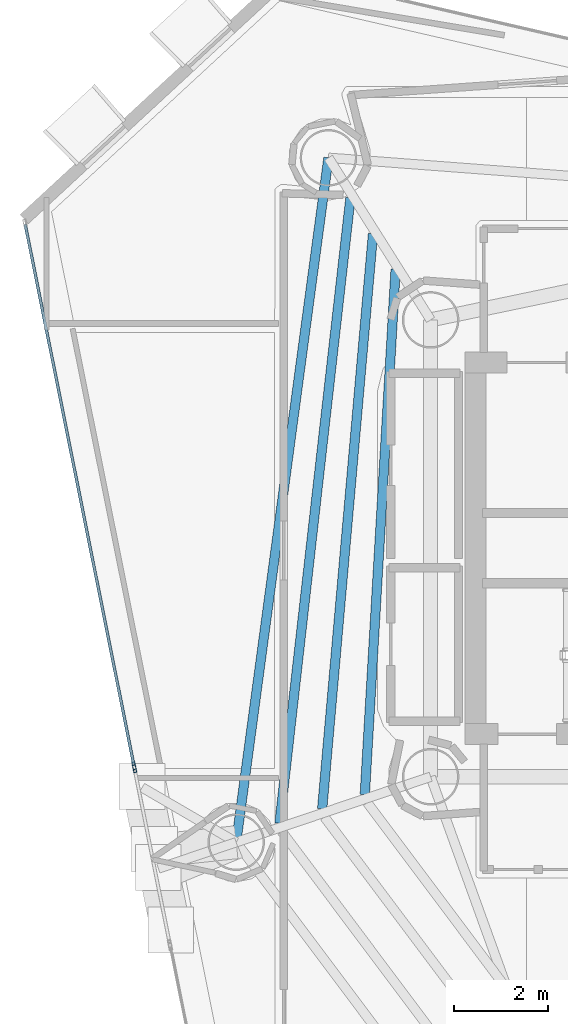
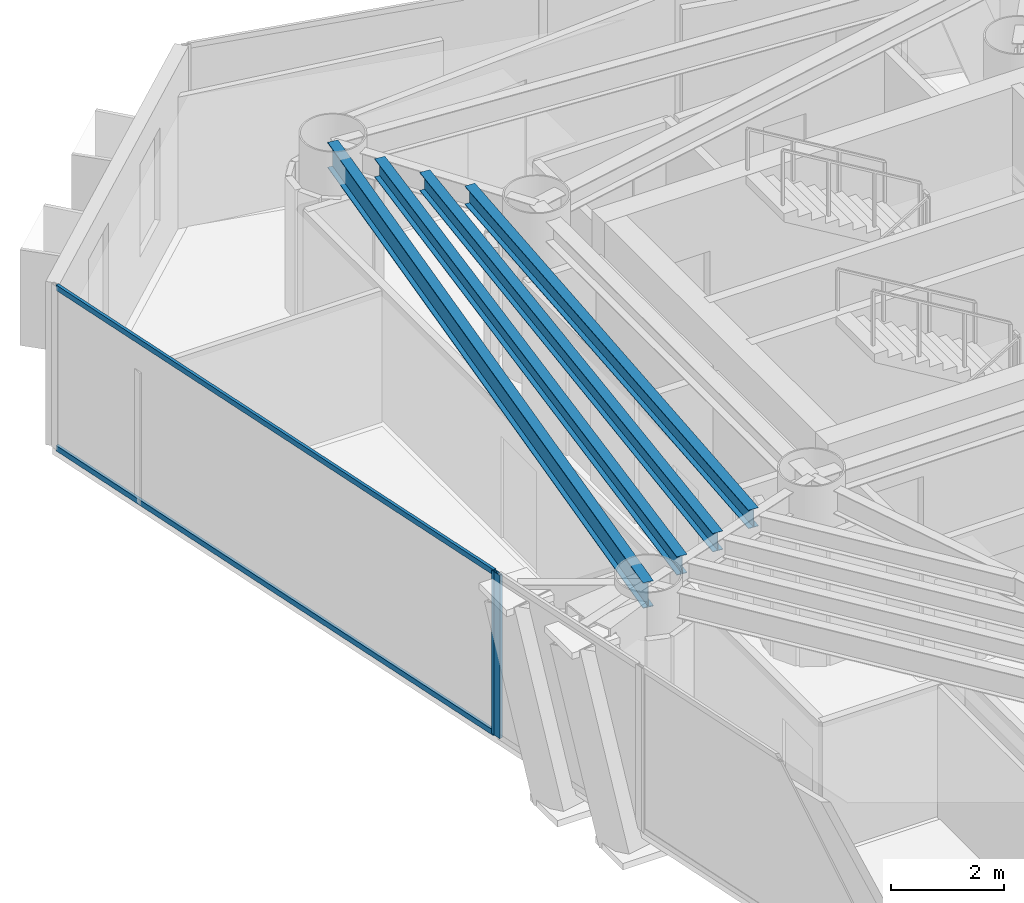
# One storey, part 8 of 22: 4 beams, 4 members, 2 elements without a shape of their own.
"""IFC4 building model written with IfcOpenShell, lengths in metres."""

from ifc_helpers import new_model, si_unit, direction, frame, origin, origin_2d, place, context, subcontext, project, spatial, hollow_rectangle, i_section, extrude, material, layer, layer_set, material_profile, profile_set, type_object, element, aggregate, save


model = new_model("IFC4")

# Units and contexts
model_context = context("Model", 3, precision=1e-05, world=origin(), true_north=direction((0.0, 1.0)))
body_context = subcontext(model_context, "Body", "Model", "MODEL_VIEW")
ifc_project = project(units=[si_unit("LENGTHUNIT", "METRE"), si_unit("AREAUNIT", "SQUARE_METRE"), si_unit("VOLUMEUNIT", "CUBIC_METRE"), si_unit("PLANEANGLEUNIT", "RADIAN"), si_unit("MASSUNIT", "GRAM", prefix="KILO")], contexts=[model_context])

# Site, building, storey
site_placement = place(None, origin())
site = spatial("IfcSite", under=ifc_project, at=site_placement, CompositionType="ELEMENT")
building_placement = place(site_placement, origin())
building = spatial("IfcBuilding", under=site, at=building_placement, Name="Qianvela Tower", CompositionType="ELEMENT")
storey_placement = place(building_placement, frame((0.0, 0.0, 204.0)))
storey = spatial("IfcBuildingStorey", under=building, at=storey_placement, Name="L52", CompositionType="ELEMENT", Elevation=204.0)

# Beams
ifc_material_1 = material(Name="Steel Q355B", Category="steel")
ifc_material_profile_1 = material_profile(ifc_material_1, i_section(OverallWidth=0.199951171875, OverallDepth=0.39990234375, WebThickness=0.008056640625, FlangeThickness=0.012939453125, at=origin_2d()), Name="HN400x200x8x13")
ifc_profile_set_1 = profile_set([ifc_material_profile_1], Name="Steel Q355B")
beam_type_1 = type_object("IfcBeamType", Name="BM-HN400-JOIST", PredefinedType="JOIST", material=ifc_profile_set_1)
beam_1_placement = place(storey_placement, frame((27.85693359375, 34.62451171875, 3.318115234375), z_axis=(-0.05861696358, -0.998280547532, 0.0), x_axis=(0.998280547532, -0.05861696358, 0.0)))
element("IfcBeam", 1, at=beam_1_placement, inside=storey, type_object=beam_type_1, Name="L52 Secondary Composite Floor Joist 3.1", PredefinedType="JOIST", context=body_context, shape_type="SweptSolid", body=[
    extrude(i_section(OverallWidth=0.199951171875, OverallDepth=0.39990234375, WebThickness=0.008056640625, FlangeThickness=0.012939453125, at=origin_2d()), origin(), (0.0, 0.0, 1.0), 11.170654296875),
])
beam_2_placement = place(storey_placement, frame((27.376953125, 35.3818359375, 3.318115234375), z_axis=(-0.088081491788, -0.996113272075, 0.0), x_axis=(0.996113272075, -0.088081491788, 0.0)))
element("IfcBeam", 2, at=beam_2_placement, inside=storey, type_object=beam_type_1, Name="L52 Secondary Composite Floor Joist 3.2", PredefinedType="JOIST", context=body_context, shape_type="SweptSolid", body=[
    extrude(i_section(OverallWidth=0.199951171875, OverallDepth=0.39990234375, WebThickness=0.008056640625, FlangeThickness=0.012939453125, at=origin_2d()), origin(), (0.0, 0.0, 1.0), 12.26220703125),
])
beam_3_placement = place(storey_placement, frame((26.8974609375, 36.139404296875, 3.318115234375), z_axis=(-0.112721124494, -0.993626664343, 0.0), x_axis=(0.993626664343, -0.112721124494, 0.0)))
element("IfcBeam", 3, at=beam_3_placement, inside=storey, type_object=beam_type_1, Name="L52 Secondary Composite Floor Joist 3.3", PredefinedType="JOIST", context=body_context, shape_type="SweptSolid", body=[
    extrude(i_section(OverallWidth=0.199951171875, OverallDepth=0.39990234375, WebThickness=0.008056640625, FlangeThickness=0.012939453125, at=origin_2d()), origin(), (0.0, 0.0, 1.0), 13.363525390625),
])
ifc_material_2 = material(Name="Steel Q355B", Category="steel")
ifc_material_profile_2 = material_profile(ifc_material_2, i_section(OverallWidth=0.199951171875, OverallDepth=0.550048828125, WebThickness=0.010009765625, FlangeThickness=0.01611328125, at=origin_2d()), Name="HN550x200x10x16")
ifc_profile_set_2 = profile_set([ifc_material_profile_2], Name="Steel Q355B")
beam_type_2 = type_object("IfcBeamType", Name="BM-HN550-GIRD", PredefinedType="BEAM", material=ifc_profile_set_2)
beam_4_placement = place(storey_placement, frame((26.430908203125, 36.991943359375, 3.242919921875), z_axis=(-0.133596613255, -0.991035793968, 0.0), x_axis=(0.991035793968, -0.133596613255, 0.0)))
element("IfcBeam", 4, at=beam_4_placement, inside=storey, type_object=beam_type_2, Name="L52 Perimeter Ring Spandrel Girder 3", PredefinedType="BEAM", context=body_context, shape_type="SweptSolid", body=[
    extrude(i_section(OverallWidth=0.199951171875, OverallDepth=0.550048828125, WebThickness=0.010009765625, FlangeThickness=0.01611328125, at=origin_2d()), origin(), (0.0, 0.0, 1.0), 14.663330078125),
])

# Curtain wall, member
ifc_material_3 = material(Name="Anodised Architectural Aluminium and Insulated Spandrel Panel", Category="aluminium")
ifc_layer_1 = layer(ifc_material_3, 0.179931640625)
ifc_layer_set_1 = layer_set([ifc_layer_1], Name="Anodised Architectural Aluminium and Insulated Spandrel Panel")
curtain_wall_type_1 = type_object("IfcCurtainWallType", Name="CW-BRACEBAY", PredefinedType="USERDEFINED", material=ifc_layer_set_1)
curtain_wall_1_placement = place(storey_placement, origin())
curtain_wall_1 = element("IfcCurtainWall", 5, at=curtain_wall_1_placement, inside=storey, type_object=curtain_wall_type_1, Name="L52 CW-BRACEBAY Curtain Wall 04B", ObjectType="CURTAIN_WALL_SYSTEM", PredefinedType="USERDEFINED")
ifc_material_4 = material(Name="Anodised Architectural Aluminium 6063-T6", Category="aluminium")
ifc_material_profile_3 = material_profile(ifc_material_4, hollow_rectangle(XDim=0.06494140625, YDim=0.159912109375, WallThickness=0.0048828125, at=origin_2d()), Name="ALU-MULL-65x160")
ifc_profile_set_3 = profile_set([ifc_material_profile_3], Name="Anodised Architectural Aluminium 6063-T6")
member_type_1 = type_object("IfcMemberType", Name="CW-BRACEBAY-MULL", PredefinedType="MULLION", material=ifc_profile_set_3)
member_1_placement = place(storey_placement, frame((22.314453125, 24.01904296875, 0.0), z_axis=(0.0, 0.0, 1.0), x_axis=(0.980406465968, 0.196985180883, 0.0)))
member_1 = element("IfcMember", 6, at=member_1_placement, type_object=member_type_1, Name="CW-9 mullion 1", PredefinedType="MULLION", context=body_context, shape_type="SweptSolid", body=[
    extrude(hollow_rectangle(XDim=0.06494140625, YDim=0.159912109375, WallThickness=0.0048828125, at=origin_2d()), origin(), (0.0, 0.0, 1.0), 3.52001953125),
])
aggregate(curtain_wall_1, [member_1])

# Curtain wall, members
ifc_material_5 = material(Name="Anodised Architectural Aluminium and Low-E Glass", Category="aluminium")
ifc_layer_2 = layer(ifc_material_5, 0.159912109375)
ifc_layer_set_2 = layer_set([ifc_layer_2], Name="Anodised Architectural Aluminium and Low-E Glass")
curtain_wall_type_2 = type_object("IfcCurtainWallType", Name="CW-COLIV-Z56", PredefinedType="USERDEFINED", material=ifc_layer_set_2)
curtain_wall_2_placement = place(storey_placement, origin())
curtain_wall_2 = element("IfcCurtainWall", 7, at=curtain_wall_2_placement, inside=storey, type_object=curtain_wall_type_2, Name="L52 CW-COLIV-Z56 Curtain Wall 04A", ObjectType="CURTAIN_WALL_SYSTEM", PredefinedType="USERDEFINED")
ifc_material_6 = material(Name="Anodised Architectural Aluminium 6063-T6", Category="aluminium")
ifc_material_profile_4 = material_profile(ifc_material_6, hollow_rectangle(XDim=0.06494140625, YDim=0.159912109375, WallThickness=0.0048828125, at=origin_2d()), Name="ALU-MULL-65x160")
ifc_profile_set_4 = profile_set([ifc_material_profile_4], Name="Anodised Architectural Aluminium 6063-T6")
member_type_2 = type_object("IfcMemberType", Name="CW-COLIV-Z56-MULL", PredefinedType="MULLION", material=ifc_profile_set_4)
member_2_placement = place(storey_placement, frame((22.3017578125, 24.082763671875, 0.0), z_axis=(0.0, 0.0, 1.0), x_axis=(0.980407510802, 0.196979980613, 0.0)))
member_2 = element("IfcMember", 8, at=member_2_placement, type_object=member_type_2, Name="CW-5 mullion 2", PredefinedType="MULLION", context=body_context, shape_type="SweptSolid", body=[
    extrude(hollow_rectangle(XDim=0.06494140625, YDim=0.159912109375, WallThickness=0.0048828125, at=origin_2d()), origin(), (0.0, 0.0, 1.0), 3.52001953125),
])
ifc_material_7 = material(Name="Anodised Architectural Aluminium 6063-T6", Category="aluminium")
ifc_material_profile_5 = material_profile(ifc_material_7, hollow_rectangle(XDim=0.06005859375, YDim=0.114990234375, WallThickness=0.00390625, at=origin_2d()), Name="ALU-TRAN-60x115")
ifc_profile_set_5 = profile_set([ifc_material_profile_5], Name="Anodised Architectural Aluminium 6063-T6")
member_type_3 = type_object("IfcMemberType", Name="CW-COLIV-Z56-TRAN", PredefinedType="USERDEFINED", material=ifc_profile_set_5)
member_3_placement = place(storey_placement, frame((19.99267578125, 35.57568359375, 0.030029296875), z_axis=(0.196983572656, -0.980406789095, 0.0), x_axis=(0.980406789095, 0.196983572656, 0.0)))
member_3 = element("IfcMember", 9, at=member_3_placement, type_object=member_type_3, Name="CW-5 transom 1.1", ObjectType="TRANSOM", PredefinedType="USERDEFINED", context=body_context, shape_type="SweptSolid", body=[
    extrude(hollow_rectangle(XDim=0.06005859375, YDim=0.114990234375, WallThickness=0.00390625, at=origin_2d()), origin(), (0.0, 0.0, 1.0), 11.68994140625),
])
member_4_placement = place(storey_placement, frame((19.99267578125, 35.57568359375, 3.489990234375), z_axis=(0.196983572656, -0.980406789095, 0.0), x_axis=(0.980406789095, 0.196983572656, 0.0)))
member_4 = element("IfcMember", 10, at=member_4_placement, type_object=member_type_3, Name="CW-5 transom 1.2", ObjectType="TRANSOM", PredefinedType="USERDEFINED", context=body_context, shape_type="SweptSolid", body=[
    extrude(hollow_rectangle(XDim=0.06005859375, YDim=0.114990234375, WallThickness=0.00390625, at=origin_2d()), origin(), (0.0, 0.0, 1.0), 11.68994140625),
])
aggregate(curtain_wall_2, [member_2, member_3, member_4])

save(model, "model.ifc")
